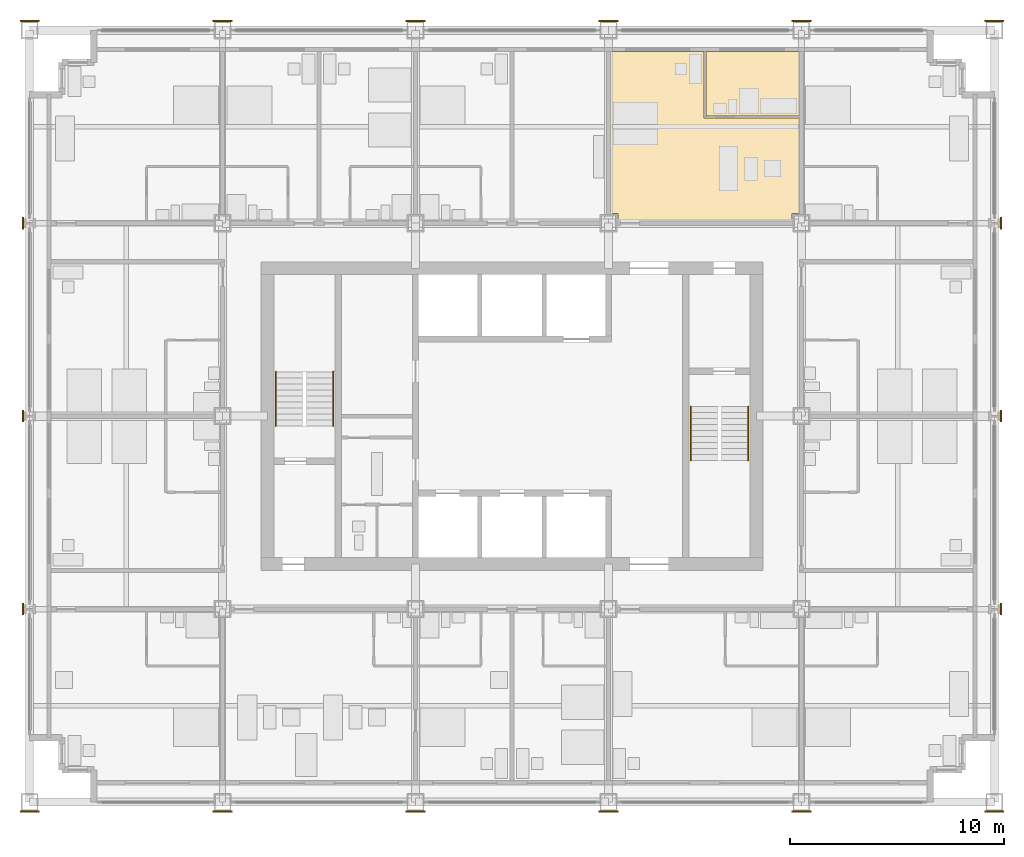
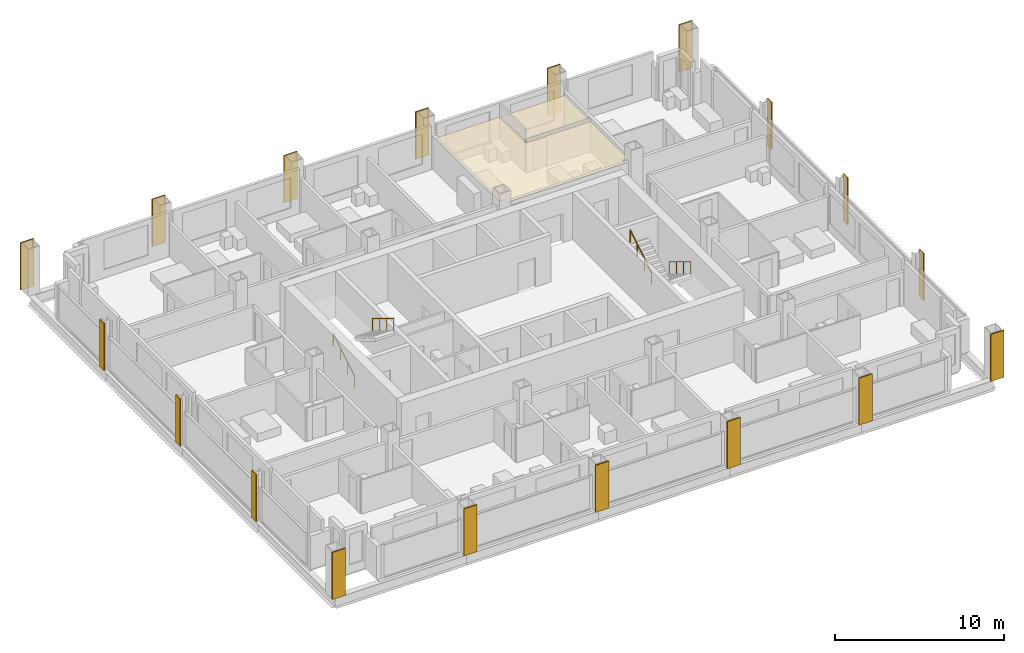
# One storey, part 14 of 16: 20 coverings, 4 railings.
"""IFC4 building model written with IfcOpenShell, lengths in metres."""

from ifc_helpers import new_model, si_unit, direction, frame, origin, origin_2d, place, context, subcontext, project, spatial, polyline, rectangle, circle, outline, extrude, material, layer, layer_set, type_object, element, save


model = new_model("IFC4")

# Units and contexts
model_context = context("Model", 3, precision=1e-05, world=origin(), true_north=direction((0.0, 1.0)))
body_context = subcontext(model_context, "Body", "Model", "MODEL_VIEW")
ifc_project = project(units=[si_unit("LENGTHUNIT", "METRE"), si_unit("AREAUNIT", "SQUARE_METRE"), si_unit("VOLUMEUNIT", "CUBIC_METRE"), si_unit("PLANEANGLEUNIT", "RADIAN"), si_unit("MASSUNIT", "GRAM", prefix="KILO")], contexts=[model_context])

# Site, building, storey
site_placement = place(None, origin())
site = spatial("IfcSite", under=ifc_project, at=site_placement, CompositionType="ELEMENT")
building_placement = place(site_placement, origin())
building = spatial("IfcBuilding", under=site, at=building_placement, Name="Loomwork Tower", CompositionType="ELEMENT")
storey_placement = place(building_placement, frame((0.0, 0.0, 128.199951171875)))
storey = spatial("IfcBuildingStorey", under=building, at=storey_placement, Name="L34", CompositionType="ELEMENT", Elevation=128.199951171875)

# Railings
ifc_material_1 = material(Name="Stainless steel handrail", Category="steel")
railing_type = type_object("IfcRailingType", Name="Handrail 900", PredefinedType="HANDRAIL", material=ifc_material_1)
railing_1_placement = place(storey_placement, frame((11.485107421875, 17.550048828125, 0.170166015625)))
element("IfcRailing", 1, at=railing_1_placement, inside=storey, type_object=railing_type, Name="Stair A handrail flight 1 L34", PredefinedType="HANDRAIL", context=body_context, shape_type="SweptSolid", body=[
    extrude(circle(Radius=0.02392578125, at=origin_2d()), frame((0.0, 0.0, 0.8759765625), z_axis=(0.0, 0.854821627497, 0.518921945155), x_axis=(-1.0, 0.0, 0.0)), (0.0, 0.0, 1.0), 2.947998046875),
    extrude(circle(Radius=0.02099609375, at=origin_2d()), origin(), (0.0, 0.0, 1.0), 0.851806640625),
    extrude(circle(Radius=0.02099609375, at=origin_2d()), frame((0.0, 0.840087890625, 0.510009765625)), (0.0, 0.0, 1.0), 0.851806640625),
    extrude(circle(Radius=0.02099609375, at=origin_2d()), frame((0.0, 1.679931640625, 1.019775390625)), (0.0, 0.0, 1.0), 0.851806640625),
    extrude(circle(Radius=0.02099609375, at=origin_2d()), frame((0.0, 2.52001953125, 1.52978515625)), (0.0, 0.0, 1.0), 0.851806640625),
])
railing_2_placement = place(storey_placement, frame((14.1650390625, 20.070068359375, 1.8701171875)))
element("IfcRailing", 2, at=railing_2_placement, inside=storey, type_object=railing_type, Name="Stair A handrail flight 2 L34", PredefinedType="HANDRAIL", context=body_context, shape_type="SweptSolid", body=[
    extrude(circle(Radius=0.02392578125, at=origin_2d()), frame((0.0, 0.0, 0.8759765625), z_axis=(0.0, -0.85478489116, 0.518982456201), x_axis=(1.0, 0.0, 0.0)), (0.0, 0.0, 1.0), 2.9482421875),
    extrude(circle(Radius=0.02099609375, at=origin_2d()), origin(), (0.0, 0.0, 1.0), 0.851806640625),
    extrude(circle(Radius=0.02099609375, at=origin_2d()), frame((0.0, -0.840087890625, 0.510009765625)), (0.0, 0.0, 1.0), 0.851806640625),
    extrude(circle(Radius=0.02099609375, at=origin_2d()), frame((0.0, -1.679931640625, 1.02001953125)), (0.0, 0.0, 1.0), 0.851806640625),
    extrude(circle(Radius=0.02099609375, at=origin_2d()), frame((0.0, -2.52001953125, 1.530029296875)), (0.0, 0.0, 1.0), 0.851806640625),
])
railing_3_placement = place(storey_placement, frame((33.514892578125, 18.449951171875, 0.170166015625)))
element("IfcRailing", 3, at=railing_3_placement, inside=storey, type_object=railing_type, Name="Stair B handrail flight 1 L34", PredefinedType="HANDRAIL", context=body_context, shape_type="SweptSolid", body=[
    extrude(circle(Radius=0.02392578125, at=origin_2d()), frame((0.0, 0.0, 0.8759765625), z_axis=(0.0, -0.854821627497, 0.518921945155), x_axis=(1.0, 0.0, 0.0)), (0.0, 0.0, 1.0), 2.947998046875),
    extrude(circle(Radius=0.02099609375, at=origin_2d()), origin(), (0.0, 0.0, 1.0), 0.851806640625),
    extrude(circle(Radius=0.02099609375, at=origin_2d()), frame((0.0, -0.840087890625, 0.510009765625)), (0.0, 0.0, 1.0), 0.851806640625),
    extrude(circle(Radius=0.02099609375, at=origin_2d()), frame((0.0, -1.679931640625, 1.019775390625)), (0.0, 0.0, 1.0), 0.851806640625),
    extrude(circle(Radius=0.02099609375, at=origin_2d()), frame((0.0, -2.52001953125, 1.52978515625)), (0.0, 0.0, 1.0), 0.851806640625),
])
railing_4_placement = place(storey_placement, frame((30.8349609375, 15.929931640625, 1.8701171875)))
element("IfcRailing", 4, at=railing_4_placement, inside=storey, type_object=railing_type, Name="Stair B handrail flight 2 L34", PredefinedType="HANDRAIL", context=body_context, shape_type="SweptSolid", body=[
    extrude(circle(Radius=0.02392578125, at=origin_2d()), frame((0.0, 0.0, 0.8759765625), z_axis=(0.0, 0.85478489116, 0.518982456201), x_axis=(-1.0, 0.0, 0.0)), (0.0, 0.0, 1.0), 2.9482421875),
    extrude(circle(Radius=0.02099609375, at=origin_2d()), origin(), (0.0, 0.0, 1.0), 0.851806640625),
    extrude(circle(Radius=0.02099609375, at=origin_2d()), frame((0.0, 0.840087890625, 0.510009765625)), (0.0, 0.0, 1.0), 0.851806640625),
    extrude(circle(Radius=0.02099609375, at=origin_2d()), frame((0.0, 1.679931640625, 1.02001953125)), (0.0, 0.0, 1.0), 0.851806640625),
    extrude(circle(Radius=0.02099609375, at=origin_2d()), frame((0.0, 2.52001953125, 1.530029296875)), (0.0, 0.0, 1.0), 0.851806640625),
])

# Coverings
ifc_material_2 = material(Name="Limestone", Category="masonry")
ifc_layer_1 = layer(ifc_material_2, 0.080078125)
ifc_layer_set_1 = layer_set([ifc_layer_1], Name="Limestone pier facing 80")
covering_type_1 = type_object("IfcCoveringType", Name="Limestone pier facing 80", PredefinedType="CLADDING", material=ifc_layer_set_1)
covering_1_placement = place(storey_placement, frame((0.0, -0.43994140625, 0.0), z_axis=(0.0, 0.0, 1.0), x_axis=(1.0, 0.0, 0.0)))
element("IfcCovering", 5, at=covering_1_placement, inside=storey, type_object=covering_type_1, Name="Pier facing D/2 L34", PredefinedType="CLADDING", context=body_context, shape_type="SweptSolid", body=[
    extrude(rectangle(XDim=0.89990234375, YDim=0.080078125, at=origin_2d()), origin(), (0.0, 0.0, 1.0), 3.39990234375),
])
for number, where, z_axis, x_axis, name in (
    (6, (-0.305419921875, 9.0, 0.0), (0.0, 0.0, 1.0), (1.0, 0.0, 0.0), "Pier facing E/2 L34"),
    (7, (-0.305419921875, 18.0, 0.0), (0.0, 0.0, 1.0), (1.0, 0.0, 0.0), "Pier facing F/2 L34"),
    (8, (-0.305419921875, 27.0, 0.0), (0.0, 0.0, 1.0), (1.0, 0.0, 0.0), "Pier facing G/2 L34"),
):
    element("IfcCovering", number, at=place(storey_placement, frame(where, z_axis=z_axis, x_axis=x_axis)), inside=storey, type_object=covering_type_1, Name=name, PredefinedType="CLADDING", context=body_context, shape_type="SweptSolid", body=[
        extrude(rectangle(XDim=0.080078125, YDim=0.5419921875, at=origin_2d()), origin(), (0.0, 0.0, 1.0), 3.39990234375),
    ])
for number, where, z_axis, x_axis, name in (
    (9, (0.0, 36.43994140625, 0.0), (0.0, 0.0, 1.0), (1.0, 0.0, 0.0), "Pier facing H/2 L34"),
    (10, (9.0, -0.43994140625, 0.0), (0.0, 0.0, 1.0), (1.0, 0.0, 0.0), "Pier facing D/3 L34"),
    (11, (9.0, 36.43994140625, 0.0), (0.0, 0.0, 1.0), (1.0, 0.0, 0.0), "Pier facing H/3 L34"),
    (12, (18.0, -0.43994140625, 0.0), (0.0, 0.0, 1.0), (1.0, 0.0, 0.0), "Pier facing D/4 L34"),
    (13, (18.0, 36.43994140625, 0.0), (0.0, 0.0, 1.0), (1.0, 0.0, 0.0), "Pier facing H/4 L34"),
    (14, (27.0, -0.43994140625, 0.0), (0.0, 0.0, 1.0), (1.0, 0.0, 0.0), "Pier facing D/5 L34"),
    (15, (27.0, 36.43994140625, 0.0), (0.0, 0.0, 1.0), (1.0, 0.0, 0.0), "Pier facing H/5 L34"),
    (16, (36.0, -0.43994140625, 0.0), (0.0, 0.0, 1.0), (1.0, 0.0, 0.0), "Pier facing D/6 L34"),
    (17, (36.0, 36.43994140625, 0.0), (0.0, 0.0, 1.0), (1.0, 0.0, 0.0), "Pier facing H/6 L34"),
    (18, (45.0, -0.43994140625, 0.0), (0.0, 0.0, 1.0), (1.0, 0.0, 0.0), "Pier facing D/7 L34"),
):
    element("IfcCovering", number, at=place(storey_placement, frame(where, z_axis=z_axis, x_axis=x_axis)), inside=storey, type_object=covering_type_1, Name=name, PredefinedType="CLADDING", context=body_context, shape_type="SweptSolid", body=[
        extrude(rectangle(XDim=0.89990234375, YDim=0.080078125, at=origin_2d()), origin(), (0.0, 0.0, 1.0), 3.39990234375),
    ])
for number, where, z_axis, x_axis, name in (
    (19, (45.305419921875, 9.0, 0.0), (0.0, 0.0, 1.0), (1.0, 0.0, 0.0), "Pier facing E/7 L34"),
    (20, (45.305419921875, 18.0, 0.0), (0.0, 0.0, 1.0), (1.0, 0.0, 0.0), "Pier facing F/7 L34"),
    (21, (45.305419921875, 27.0, 0.0), (0.0, 0.0, 1.0), (1.0, 0.0, 0.0), "Pier facing G/7 L34"),
):
    element("IfcCovering", number, at=place(storey_placement, frame(where, z_axis=z_axis, x_axis=x_axis)), inside=storey, type_object=covering_type_1, Name=name, PredefinedType="CLADDING", context=body_context, shape_type="SweptSolid", body=[
        extrude(rectangle(XDim=0.080078125, YDim=0.5419921875, at=origin_2d()), origin(), (0.0, 0.0, 1.0), 3.39990234375),
    ])
covering_2_placement = place(storey_placement, frame((45.0, 36.43994140625, 0.0), z_axis=(0.0, 0.0, 1.0), x_axis=(1.0, 0.0, 0.0)))
element("IfcCovering", 22, at=covering_2_placement, inside=storey, type_object=covering_type_1, Name="Pier facing H/7 L34", PredefinedType="CLADDING", context=body_context, shape_type="SweptSolid", body=[
    extrude(rectangle(XDim=0.89990234375, YDim=0.080078125, at=origin_2d()), origin(), (0.0, 0.0, 1.0), 3.39990234375),
])
ifc_material_3 = material(Name="Mineral fibre acoustic tile on suspension grid")
ifc_layer_2 = layer(ifc_material_3, 0.02490234375)
ifc_layer_set_2 = layer_set([ifc_layer_2], Name="Suspended acoustic ceiling")
covering_type_2 = type_object("IfcCoveringType", Name="Suspended acoustic ceiling", PredefinedType="CEILING", material=ifc_layer_set_2)
covering_3_placement = place(storey_placement, frame((0.0, 0.0, 2.175048828125)))
element("IfcCovering", 23, at=covering_3_placement, inside=storey, type_object=covering_type_2, Name="Ceiling Spa bathroom L34", PredefinedType="CEILING", context=body_context, shape_type="SweptSolid", body=[
    extrude(outline(polyline([(31.550048828125, 35.0), (35.89990234375, 35.0), (35.89990234375, 32.0), (31.550048828125, 32.0), (31.550048828125, 35.0)])), origin(), (0.0, 0.0, 1.0), 0.02490234375),
])
covering_4_placement = place(storey_placement, frame((0.0, 0.0, 2.175048828125)))
element("IfcCovering", 24, at=covering_4_placement, inside=storey, type_object=covering_type_2, Name="Ceiling Spa suite L34", PredefinedType="CEILING", context=body_context, shape_type="SweptSolid", body=[
    extrude(outline(polyline([(27.10009765625, 35.0), (31.449951171875, 35.0), (31.449951171875, 31.89990234375), (35.89990234375, 31.89990234375), (35.89990234375, 27.449951171875), (35.550048828125, 27.449951171875), (35.550048828125, 27.10009765625), (27.449951171875, 27.10009765625), (27.449951171875, 27.449951171875), (27.10009765625, 27.449951171875), (27.10009765625, 35.0)])), origin(), (0.0, 0.0, 1.0), 0.02490234375),
])

save(model, "model.ifc")
